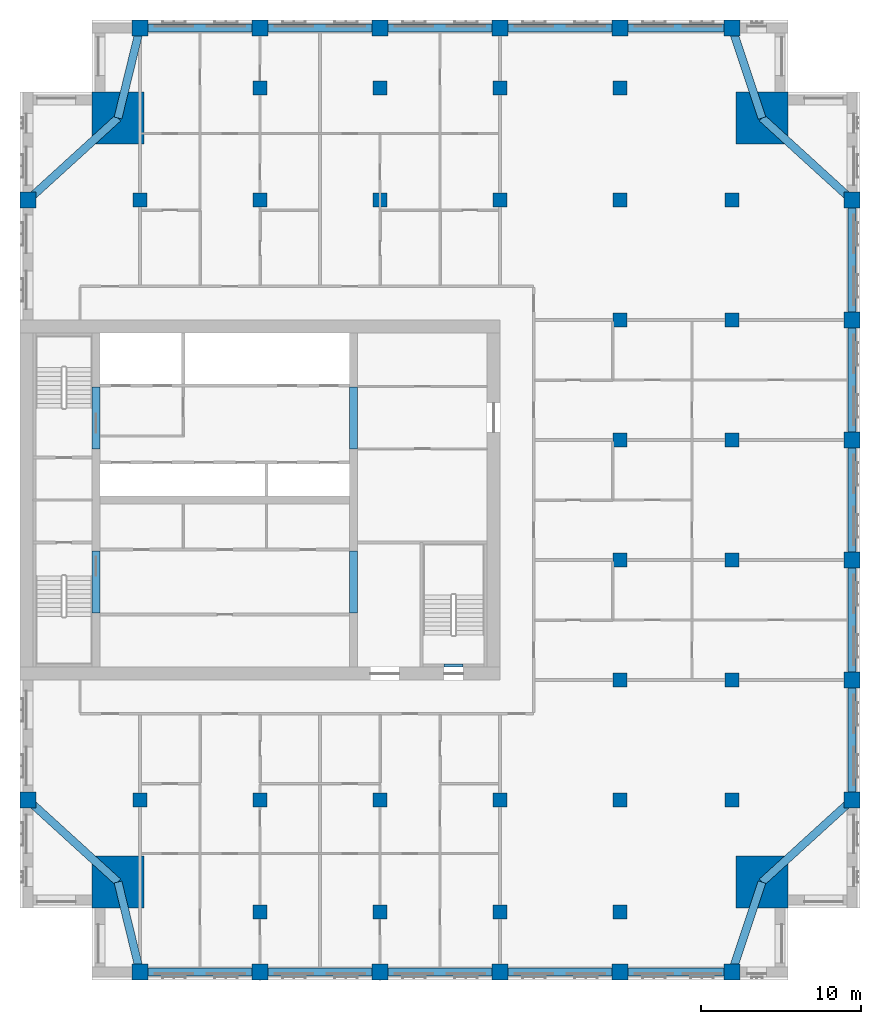
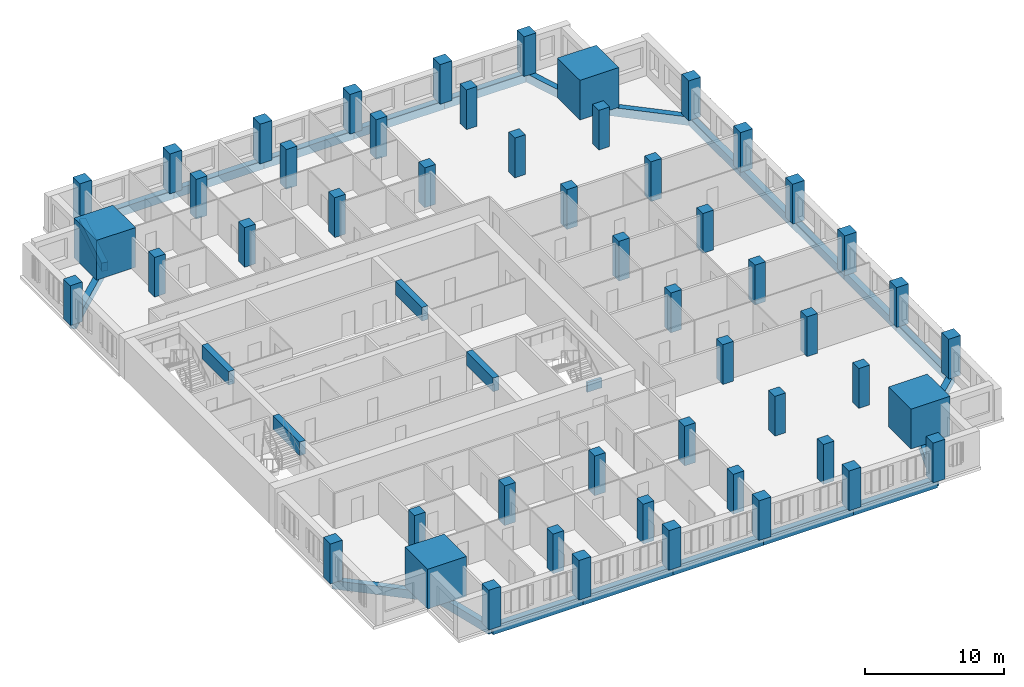
# One storey, part 1 of 14: 52 columns, 28 beams.
"""IFC4 building model written with IfcOpenShell, lengths in metres."""

from ifc_helpers import new_model, si_unit, direction, frame, origin, origin_2d, place, context, subcontext, project, spatial, rectangle, extrude, material, material_profile, profile_set, type_object, element, save


model = new_model("IFC4")

# Units and contexts
model_context = context("Model", 3, precision=1e-05, world=origin(), true_north=direction((0.0, 1.0)))
body_context = subcontext(model_context, "Body", "Model", "MODEL_VIEW")
ifc_project = project(units=[si_unit("LENGTHUNIT", "METRE"), si_unit("AREAUNIT", "SQUARE_METRE"), si_unit("VOLUMEUNIT", "CUBIC_METRE"), si_unit("PLANEANGLEUNIT", "RADIAN"), si_unit("MASSUNIT", "GRAM", prefix="KILO")], contexts=[model_context])

# Site, building, storey
site_placement = place(None, origin())
site = spatial("IfcSite", under=ifc_project, at=site_placement, CompositionType="ELEMENT")
building_placement = place(site_placement, origin())
building = spatial("IfcBuilding", under=site, at=building_placement, Name="Tamorin Gate", CompositionType="ELEMENT")
storey_placement = place(building_placement, frame((0.0, 0.0, 210.699951171875)))
storey = spatial("IfcBuildingStorey", under=building, at=storey_placement, Name="L52", CompositionType="ELEMENT", Elevation=210.699951171875)

# Columns
ifc_material_1 = material(Name="Concrete C60/75", Category="concrete")
ifc_material_profile_1 = material_profile(ifc_material_1, rectangle(XDim=1.0, YDim=1.0, at=origin_2d()), Name="RC 1000x1000")
ifc_profile_set_1 = profile_set([ifc_material_profile_1], Name="Concrete C60/75")
column_type_1 = type_object("IfcColumnType", Name="RC column 1000x1000 C60/75", PredefinedType="COLUMN", material=ifc_profile_set_1)
for number, where, z_axis, x_axis, name in (
    (1, (37.5, 41.75, 0.0), (0.0, 0.0, 1.0), (1.0, 0.0, 0.0), "Ring column L52"),
    (2, (45.0, 41.75, 0.0), (0.0, 0.0, 1.0), (1.0, 0.0, 0.0), "Ring column L52"),
    (3, (52.5, 41.75, 0.0), (0.0, 0.0, 1.0), (1.0, 0.0, 0.0), "Ring column L52"),
    (4, (60.0, 41.75, 0.0), (0.0, 0.0, 1.0), (1.0, 0.0, 0.0), "Ring column L52"),
    (5, (67.5, 41.75, 0.0), (0.0, 0.0, 1.0), (1.0, 0.0, 0.0), "Ring column L52"),
    (6, (74.5, 41.75, 0.0), (0.0, 0.0, 1.0), (1.0, 0.0, 0.0), "Ring column L52"),
    (7, (37.5, 100.75, 0.0), (0.0, 0.0, 1.0), (1.0, 0.0, 0.0), "Ring column L52"),
    (8, (45.0, 100.75, 0.0), (0.0, 0.0, 1.0), (1.0, 0.0, 0.0), "Ring column L52"),
    (9, (52.5, 100.75, 0.0), (0.0, 0.0, 1.0), (1.0, 0.0, 0.0), "Ring column L52"),
    (10, (60.0, 100.75, 0.0), (0.0, 0.0, 1.0), (1.0, 0.0, 0.0), "Ring column L52"),
    (11, (67.5, 100.75, 0.0), (0.0, 0.0, 1.0), (1.0, 0.0, 0.0), "Ring column L52"),
    (12, (74.5, 100.75, 0.0), (0.0, 0.0, 1.0), (1.0, 0.0, 0.0), "Ring column L52"),
    (13, (30.5, 52.5, 0.0), (0.0, 0.0, 1.0), (1.0, 0.0, 0.0), "Ring column L52"),
    (14, (30.5, 90.0, 0.0), (0.0, 0.0, 1.0), (1.0, 0.0, 0.0), "Ring column L52"),
    (15, (82.0, 52.5, 0.0), (0.0, 0.0, 1.0), (1.0, 0.0, 0.0), "Ring column L52"),
    (16, (82.0, 60.0, 0.0), (0.0, 0.0, 1.0), (1.0, 0.0, 0.0), "Ring column L52"),
    (17, (82.0, 67.5, 0.0), (0.0, 0.0, 1.0), (1.0, 0.0, 0.0), "Ring column L52"),
    (18, (82.0, 75.0, 0.0), (0.0, 0.0, 1.0), (1.0, 0.0, 0.0), "Ring column L52"),
    (19, (82.0, 82.5, 0.0), (0.0, 0.0, 1.0), (1.0, 0.0, 0.0), "Ring column L52"),
    (20, (82.0, 90.0, 0.0), (0.0, 0.0, 1.0), (1.0, 0.0, 0.0), "Ring column L52"),
):
    element("IfcColumn", number, at=place(storey_placement, frame(where, z_axis=z_axis, x_axis=x_axis)), inside=storey, type_object=column_type_1, Name=name, PredefinedType="COLUMN", context=body_context, shape_type="SweptSolid", body=[
        extrude(rectangle(XDim=1.0, YDim=1.0, at=origin_2d()), origin(), (0.0, 0.0, 1.0), 3.5),
    ])
ifc_material_profile_2 = material_profile(ifc_material_1, rectangle(XDim=3.25, YDim=3.25, at=origin_2d()), Name="RC 3250x3250")
ifc_profile_set_2 = profile_set([ifc_material_profile_2], Name="Concrete C60/75")
column_type_2 = type_object("IfcColumnType", Name="RC column 3250x3250 C60/75", PredefinedType="COLUMN", material=ifc_profile_set_2)
for number, where, z_axis, x_axis, name in (
    (21, (36.125, 47.375, 0.0), (0.0, 0.0, 1.0), (1.0, 0.0, 0.0), "Mega column SW L52"),
    (22, (76.375, 47.375, 0.0), (0.0, 0.0, 1.0), (1.0, 0.0, 0.0), "Mega column SE L52"),
    (23, (36.125, 95.125, 0.0), (0.0, 0.0, 1.0), (1.0, 0.0, 0.0), "Mega column NW L52"),
    (24, (76.375, 95.125, 0.0), (0.0, 0.0, 1.0), (1.0, 0.0, 0.0), "Mega column NE L52"),
):
    element("IfcColumn", number, at=place(storey_placement, frame(where, z_axis=z_axis, x_axis=x_axis)), inside=storey, type_object=column_type_2, Name=name, PredefinedType="COLUMN", context=body_context, shape_type="SweptSolid", body=[
        extrude(rectangle(XDim=3.25, YDim=3.25, at=origin_2d()), origin(), (0.0, 0.0, 1.0), 3.5),
    ])
ifc_material_profile_3 = material_profile(ifc_material_1, rectangle(XDim=0.89990234375, YDim=0.89990234375, at=origin_2d()), Name="RC 900x900")
ifc_profile_set_3 = profile_set([ifc_material_profile_3], Name="Concrete C60/75")
column_type_3 = type_object("IfcColumnType", Name="RC column 900x900 C60/75", PredefinedType="COLUMN", material=ifc_profile_set_3)
for number, where, z_axis, x_axis, name in (
    (25, (37.5, 52.5, 0.0), (0.0, 0.0, 1.0), (1.0, 0.0, 0.0), "Interior column L52"),
    (26, (37.5, 90.0, 0.0), (0.0, 0.0, 1.0), (1.0, 0.0, 0.0), "Interior column L52"),
    (27, (45.0, 45.5, 0.0), (0.0, 0.0, 1.0), (1.0, 0.0, 0.0), "Interior column L52"),
    (28, (45.0, 52.5, 0.0), (0.0, 0.0, 1.0), (1.0, 0.0, 0.0), "Interior column L52"),
    (29, (45.0, 90.0, 0.0), (0.0, 0.0, 1.0), (1.0, 0.0, 0.0), "Interior column L52"),
    (30, (45.0, 97.0, 0.0), (0.0, 0.0, 1.0), (1.0, 0.0, 0.0), "Interior column L52"),
    (31, (52.5, 45.5, 0.0), (0.0, 0.0, 1.0), (1.0, 0.0, 0.0), "Interior column L52"),
    (32, (52.5, 52.5, 0.0), (0.0, 0.0, 1.0), (1.0, 0.0, 0.0), "Interior column L52"),
    (33, (52.5, 90.0, 0.0), (0.0, 0.0, 1.0), (1.0, 0.0, 0.0), "Interior column L52"),
    (34, (52.5, 97.0, 0.0), (0.0, 0.0, 1.0), (1.0, 0.0, 0.0), "Interior column L52"),
    (35, (60.0, 45.5, 0.0), (0.0, 0.0, 1.0), (1.0, 0.0, 0.0), "Interior column L52"),
    (36, (60.0, 52.5, 0.0), (0.0, 0.0, 1.0), (1.0, 0.0, 0.0), "Interior column L52"),
    (37, (60.0, 90.0, 0.0), (0.0, 0.0, 1.0), (1.0, 0.0, 0.0), "Interior column L52"),
    (38, (60.0, 97.0, 0.0), (0.0, 0.0, 1.0), (1.0, 0.0, 0.0), "Interior column L52"),
    (39, (67.5, 45.5, 0.0), (0.0, 0.0, 1.0), (1.0, 0.0, 0.0), "Interior column L52"),
    (40, (67.5, 52.5, 0.0), (0.0, 0.0, 1.0), (1.0, 0.0, 0.0), "Interior column L52"),
    (41, (67.5, 60.0, 0.0), (0.0, 0.0, 1.0), (1.0, 0.0, 0.0), "Interior column L52"),
    (42, (67.5, 67.5, 0.0), (0.0, 0.0, 1.0), (1.0, 0.0, 0.0), "Interior column L52"),
    (43, (67.5, 75.0, 0.0), (0.0, 0.0, 1.0), (1.0, 0.0, 0.0), "Interior column L52"),
    (44, (67.5, 82.5, 0.0), (0.0, 0.0, 1.0), (1.0, 0.0, 0.0), "Interior column L52"),
    (45, (67.5, 90.0, 0.0), (0.0, 0.0, 1.0), (1.0, 0.0, 0.0), "Interior column L52"),
    (46, (67.5, 97.0, 0.0), (0.0, 0.0, 1.0), (1.0, 0.0, 0.0), "Interior column L52"),
    (47, (74.5, 52.5, 0.0), (0.0, 0.0, 1.0), (1.0, 0.0, 0.0), "Interior column L52"),
    (48, (74.5, 60.0, 0.0), (0.0, 0.0, 1.0), (1.0, 0.0, 0.0), "Interior column L52"),
    (49, (74.5, 67.5, 0.0), (0.0, 0.0, 1.0), (1.0, 0.0, 0.0), "Interior column L52"),
    (50, (74.5, 75.0, 0.0), (0.0, 0.0, 1.0), (1.0, 0.0, 0.0), "Interior column L52"),
    (51, (74.5, 82.5, 0.0), (0.0, 0.0, 1.0), (1.0, 0.0, 0.0), "Interior column L52"),
    (52, (74.5, 90.0, 0.0), (0.0, 0.0, 1.0), (1.0, 0.0, 0.0), "Interior column L52"),
):
    element("IfcColumn", number, at=place(storey_placement, frame(where, z_axis=z_axis, x_axis=x_axis)), inside=storey, type_object=column_type_3, Name=name, PredefinedType="COLUMN", context=body_context, shape_type="SweptSolid", body=[
        extrude(rectangle(XDim=0.89990234375, YDim=0.89990234375, at=origin_2d()), origin(), (0.0, 0.0, 1.0), 3.5),
    ])

# Beams
ifc_material_profile_4 = material_profile(ifc_material_1, rectangle(XDim=0.5, YDim=1.199951171875, at=origin_2d()), Name="RC 500x1200")
ifc_profile_set_4 = profile_set([ifc_material_profile_4], Name="Concrete C60/75")
beam_type_1 = type_object("IfcBeamType", Name="RC coupling beam 500x1200 C60/75", PredefinedType="BEAM", material=ifc_profile_set_4)
for number, where, z_axis, x_axis, name in (
    (53, (34.75, 64.199951171875, 2.900146484375), (0.0, 1.0, 0.0), (-1.0, 0.0, 0.0), "Coupling beam L52"),
    (54, (34.75, 74.449951171875, 2.900146484375), (0.0, 1.0, 0.0), (-1.0, 0.0, 0.0), "Coupling beam L52"),
    (55, (50.85009765625, 64.199951171875, 2.900146484375), (0.0, 1.0, 0.0), (-1.0, 0.0, 0.0), "Coupling beam L52"),
    (56, (50.85009765625, 74.449951171875, 2.900146484375), (0.0, 1.0, 0.0), (-1.0, 0.0, 0.0), "Coupling beam L52"),
):
    element("IfcBeam", number, at=place(storey_placement, frame(where, z_axis=z_axis, x_axis=x_axis)), inside=storey, type_object=beam_type_1, Name=name, PredefinedType="BEAM", context=body_context, shape_type="SweptSolid", body=[
        extrude(rectangle(XDim=0.5, YDim=1.199951171875, at=origin_2d()), origin(), (0.0, 0.0, 1.0), 3.85009765625),
    ])
ifc_material_2 = material(Name="Concrete C50/60", Category="concrete")
ifc_material_profile_5 = material_profile(ifc_material_2, rectangle(XDim=0.5, YDim=0.75, at=origin_2d()), Name="RC 500x750")
ifc_profile_set_5 = profile_set([ifc_material_profile_5], Name="Concrete C50/60")
beam_type_2 = type_object("IfcBeamType", Name="RC spandrel 500x750 C50/60", PredefinedType="BEAM", material=ifc_profile_set_5)
for number, where, z_axis, x_axis, name in (
    (57, (37.5, 41.75, -0.375), (1.0, 0.0, 0.0), (0.0, 1.0, 0.0), "Spandrel beam L52"),
    (58, (45.0, 41.75, -0.375), (1.0, 0.0, 0.0), (0.0, 1.0, 0.0), "Spandrel beam L52"),
    (59, (52.5, 41.75, -0.375), (1.0, 0.0, 0.0), (0.0, 1.0, 0.0), "Spandrel beam L52"),
    (60, (60.0, 41.75, -0.375), (1.0, 0.0, 0.0), (0.0, 1.0, 0.0), "Spandrel beam L52"),
):
    element("IfcBeam", number, at=place(storey_placement, frame(where, z_axis=z_axis, x_axis=x_axis)), inside=storey, type_object=beam_type_2, Name=name, PredefinedType="BEAM", context=body_context, shape_type="SweptSolid", body=[
        extrude(rectangle(XDim=0.5, YDim=0.75, at=origin_2d()), origin(), (0.0, 0.0, 1.0), 7.5),
    ])
beam_1_placement = place(storey_placement, frame((67.5, 41.75, -0.375), z_axis=(1.0, 0.0, 0.0), x_axis=(0.0, 1.0, 0.0)))
element("IfcBeam", 61, at=beam_1_placement, inside=storey, type_object=beam_type_2, Name="Spandrel beam L52", PredefinedType="BEAM", context=body_context, shape_type="SweptSolid", body=[
    extrude(rectangle(XDim=0.5, YDim=0.75, at=origin_2d()), origin(), (0.0, 0.0, 1.0), 7.0),
])
for number, where, z_axis, x_axis, name in (
    (62, (82.0, 52.5, -0.375), (0.0, 1.0, 0.0), (-1.0, 0.0, 0.0), "Spandrel beam L52"),
    (63, (82.0, 60.0, -0.375), (0.0, 1.0, 0.0), (-1.0, 0.0, 0.0), "Spandrel beam L52"),
    (64, (82.0, 67.5, -0.375), (0.0, 1.0, 0.0), (-1.0, 0.0, 0.0), "Spandrel beam L52"),
    (65, (82.0, 75.0, -0.375), (0.0, 1.0, 0.0), (-1.0, 0.0, 0.0), "Spandrel beam L52"),
    (66, (82.0, 82.5, -0.375), (0.0, 1.0, 0.0), (-1.0, 0.0, 0.0), "Spandrel beam L52"),
):
    element("IfcBeam", number, at=place(storey_placement, frame(where, z_axis=z_axis, x_axis=x_axis)), inside=storey, type_object=beam_type_2, Name=name, PredefinedType="BEAM", context=body_context, shape_type="SweptSolid", body=[
        extrude(rectangle(XDim=0.5, YDim=0.75, at=origin_2d()), origin(), (0.0, 0.0, 1.0), 7.5),
    ])
beam_2_placement = place(storey_placement, frame((74.5, 100.75, -0.375), z_axis=(-1.0, 0.0, 0.0), x_axis=(0.0, -1.0, 0.0)))
element("IfcBeam", 67, at=beam_2_placement, inside=storey, type_object=beam_type_2, Name="Spandrel beam L52", PredefinedType="BEAM", context=body_context, shape_type="SweptSolid", body=[
    extrude(rectangle(XDim=0.5, YDim=0.75, at=origin_2d()), origin(), (0.0, 0.0, 1.0), 7.0),
])
for number, where, z_axis, x_axis, name in (
    (68, (67.5, 100.75, -0.375), (-1.0, 0.0, 0.0), (0.0, -1.0, 0.0), "Spandrel beam L52"),
    (69, (60.0, 100.75, -0.375), (-1.0, 0.0, 0.0), (0.0, -1.0, 0.0), "Spandrel beam L52"),
    (70, (52.5, 100.75, -0.375), (-1.0, 0.0, 0.0), (0.0, -1.0, 0.0), "Spandrel beam L52"),
    (71, (45.0, 100.75, -0.375), (-1.0, 0.0, 0.0), (0.0, -1.0, 0.0), "Spandrel beam L52"),
):
    element("IfcBeam", number, at=place(storey_placement, frame(where, z_axis=z_axis, x_axis=x_axis)), inside=storey, type_object=beam_type_2, Name=name, PredefinedType="BEAM", context=body_context, shape_type="SweptSolid", body=[
        extrude(rectangle(XDim=0.5, YDim=0.75, at=origin_2d()), origin(), (0.0, 0.0, 1.0), 7.5),
    ])
beam_3_placement = place(storey_placement, frame((36.125, 47.375, -0.375), z_axis=(0.237453090477, -0.971399006497, 0.0), x_axis=(0.971399006497, 0.237453090477, 0.0)))
element("IfcBeam", 72, at=beam_3_placement, inside=storey, type_object=beam_type_2, Name="Corner tie beam L52", PredefinedType="BEAM", context=body_context, shape_type="SweptSolid", body=[
    extrude(rectangle(XDim=0.5, YDim=0.75, at=origin_2d()), origin(), (0.0, 0.0, 1.0), 5.79052734375),
])
beam_4_placement = place(storey_placement, frame((36.125, 47.375, -0.375), z_axis=(-0.739196337275, 0.673489996184, 0.0), x_axis=(-0.673489996184, -0.739196337275, 0.0)))
element("IfcBeam", 73, at=beam_4_placement, inside=storey, type_object=beam_type_2, Name="Corner tie beam L52", PredefinedType="BEAM", context=body_context, shape_type="SweptSolid", body=[
    extrude(rectangle(XDim=0.5, YDim=0.75, at=origin_2d()), origin(), (0.0, 0.0, 1.0), 7.609619140625),
])
beam_5_placement = place(storey_placement, frame((76.375, 47.375, -0.375), z_axis=(-0.316227766017, -0.948683298051, 0.0), x_axis=(0.948683298051, -0.316227766017, 0.0)))
element("IfcBeam", 74, at=beam_5_placement, inside=storey, type_object=beam_type_2, Name="Corner tie beam L52", PredefinedType="BEAM", context=body_context, shape_type="SweptSolid", body=[
    extrude(rectangle(XDim=0.5, YDim=0.75, at=origin_2d()), origin(), (0.0, 0.0, 1.0), 5.92919921875),
])
beam_6_placement = place(storey_placement, frame((76.375, 47.375, -0.375), z_axis=(0.739196337275, 0.673489996184, 0.0), x_axis=(-0.673489996184, 0.739196337275, 0.0)))
element("IfcBeam", 75, at=beam_6_placement, inside=storey, type_object=beam_type_2, Name="Corner tie beam L52", PredefinedType="BEAM", context=body_context, shape_type="SweptSolid", body=[
    extrude(rectangle(XDim=0.5, YDim=0.75, at=origin_2d()), origin(), (0.0, 0.0, 1.0), 7.609619140625),
])
beam_7_placement = place(storey_placement, frame((36.125, 95.125, -0.375), z_axis=(0.237453090477, 0.971399006497, 0.0), x_axis=(-0.971399006497, 0.237453090477, 0.0)))
element("IfcBeam", 76, at=beam_7_placement, inside=storey, type_object=beam_type_2, Name="Corner tie beam L52", PredefinedType="BEAM", context=body_context, shape_type="SweptSolid", body=[
    extrude(rectangle(XDim=0.5, YDim=0.75, at=origin_2d()), origin(), (0.0, 0.0, 1.0), 5.79052734375),
])
beam_8_placement = place(storey_placement, frame((36.125, 95.125, -0.375), z_axis=(-0.739196337275, -0.673489996184, 0.0), x_axis=(0.673489996184, -0.739196337275, 0.0)))
element("IfcBeam", 77, at=beam_8_placement, inside=storey, type_object=beam_type_2, Name="Corner tie beam L52", PredefinedType="BEAM", context=body_context, shape_type="SweptSolid", body=[
    extrude(rectangle(XDim=0.5, YDim=0.75, at=origin_2d()), origin(), (0.0, 0.0, 1.0), 7.609619140625),
])
beam_9_placement = place(storey_placement, frame((76.375, 95.125, -0.375), z_axis=(-0.316227766017, 0.948683298051, 0.0), x_axis=(-0.948683298051, -0.316227766017, 0.0)))
element("IfcBeam", 78, at=beam_9_placement, inside=storey, type_object=beam_type_2, Name="Corner tie beam L52", PredefinedType="BEAM", context=body_context, shape_type="SweptSolid", body=[
    extrude(rectangle(XDim=0.5, YDim=0.75, at=origin_2d()), origin(), (0.0, 0.0, 1.0), 5.92919921875),
])
beam_10_placement = place(storey_placement, frame((76.375, 95.125, -0.375), z_axis=(0.739196337275, -0.673489996184, 0.0), x_axis=(0.673489996184, 0.739196337275, 0.0)))
element("IfcBeam", 79, at=beam_10_placement, inside=storey, type_object=beam_type_2, Name="Corner tie beam L52", PredefinedType="BEAM", context=body_context, shape_type="SweptSolid", body=[
    extrude(rectangle(XDim=0.5, YDim=0.75, at=origin_2d()), origin(), (0.0, 0.0, 1.0), 7.609619140625),
])
ifc_material_profile_6 = material_profile(ifc_material_1, rectangle(XDim=0.199951171875, YDim=0.85009765625, at=origin_2d()))
ifc_profile_set_6 = profile_set([ifc_material_profile_6], Name="Concrete C60/75")
beam_type_3 = type_object("IfcBeamType", Name="Stair lintel 200x850 C60/75", PredefinedType="BEAM", material=ifc_profile_set_6)
beam_11_placement = place(storey_placement, frame((56.5, 60.89990234375, 2.6650390625), z_axis=(1.0, 0.0, 0.0), x_axis=(0.0, 1.0, 0.0)))
element("IfcBeam", 80, at=beam_11_placement, inside=storey, type_object=beam_type_3, Name="Stair lintel", PredefinedType="BEAM", context=body_context, shape_type="SweptSolid", body=[
    extrude(rectangle(XDim=0.199951171875, YDim=0.85009765625, at=origin_2d()), origin(), (0.0, 0.0, 1.0), 1.199951171875),
])

save(model, "model.ifc")
